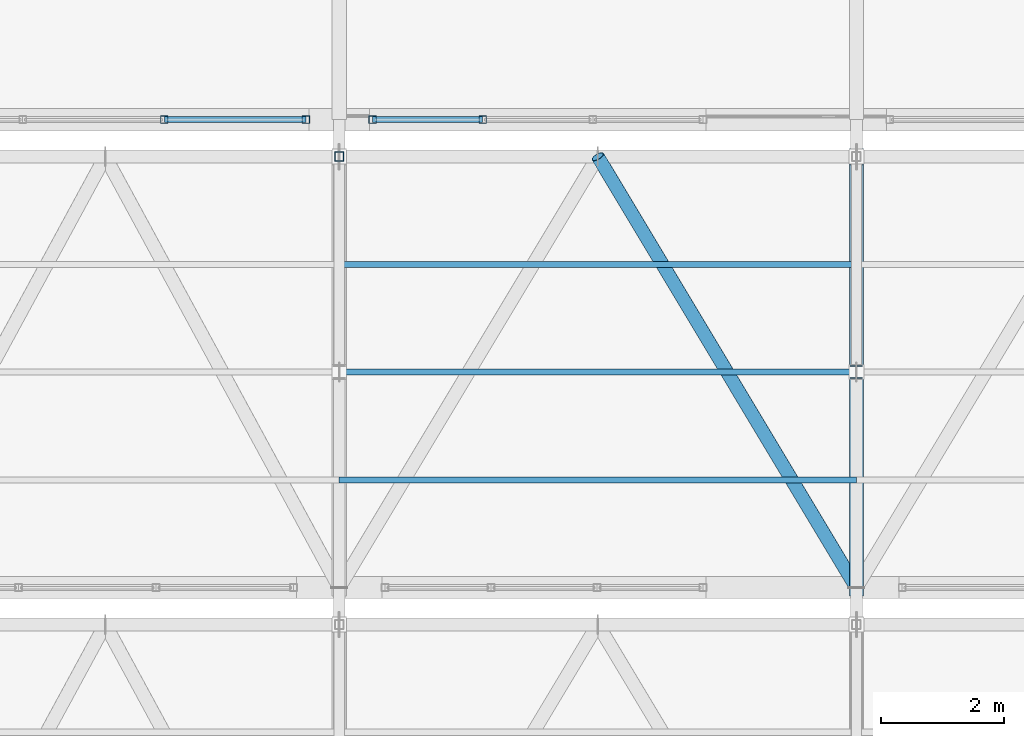
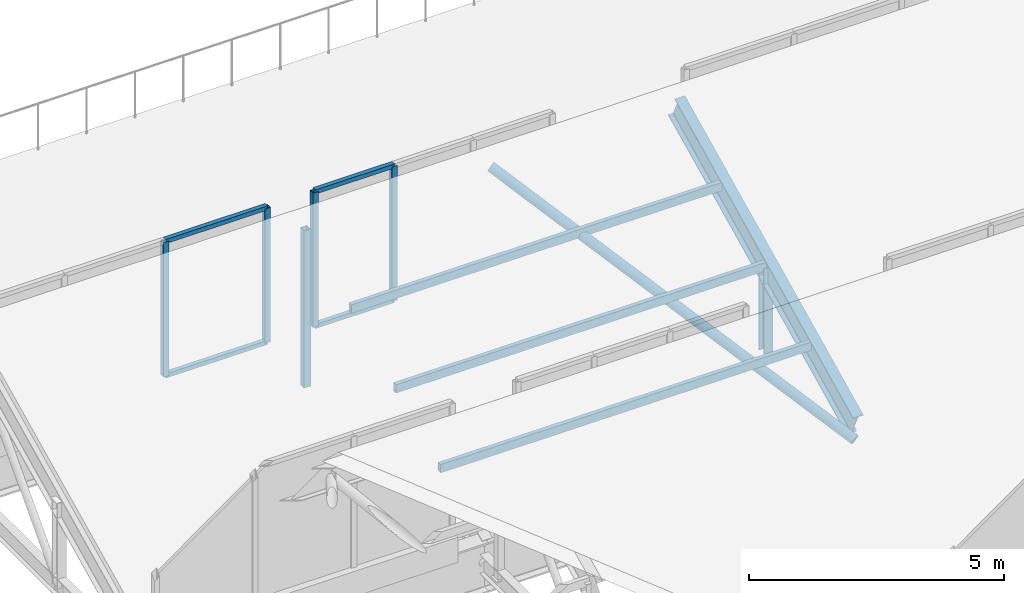
# One storey, part 19 of 57: 15 members, 2 elements without a shape of their own.
"""IFC4 building model written with IfcOpenShell, lengths in metres."""

from ifc_helpers import new_model, si_unit, direction, frame, origin, origin_2d, place, context, subcontext, project, spatial, hollow_rectangle, hollow_circle, i_section, extrude, material, material_profile, profile_set, type_object, element, aggregate, save


model = new_model("IFC4")

# Units and contexts
model_context = context("Model", 3, precision=1e-05, world=origin(), true_north=direction((0.0, 1.0)))
body_context = subcontext(model_context, "Body", "Model", "MODEL_VIEW")
ifc_project = project(units=[si_unit("LENGTHUNIT", "METRE"), si_unit("AREAUNIT", "SQUARE_METRE"), si_unit("VOLUMEUNIT", "CUBIC_METRE"), si_unit("PLANEANGLEUNIT", "RADIAN"), si_unit("MASSUNIT", "GRAM", prefix="KILO")], contexts=[model_context])

# Site, building, storey
site_placement = place(None, origin())
site = spatial("IfcSite", under=ifc_project, at=site_placement, CompositionType="ELEMENT")
building_placement = place(site_placement, origin())
building = spatial("IfcBuilding", under=site, at=building_placement, Name="Zuvorla Pavilion Media Centre", CompositionType="ELEMENT")
storey_placement = place(building_placement, frame((0.0, 0.0, 18.0)))
storey = spatial("IfcBuildingStorey", under=building, at=storey_placement, Name="L04", CompositionType="ELEMENT", Elevation=18.0)

# Curtain wall, members
ifc_material_1 = material(Name="Unitised anodised aluminium and solar glass curtain wall", Category="aluminium")
curtain_wall_type_1 = type_object("IfcCurtainWallType", Name="CW-SYS-92", PredefinedType="USERDEFINED", material=ifc_material_1)
curtain_wall_1_placement = place(storey_placement, origin())
curtain_wall_1 = element("IfcCurtainWall", 1, at=curtain_wall_1_placement, inside=storey, type_object=curtain_wall_type_1, Name="L04 curtain wall CW92 246", ObjectType="CURTAIN WALL", PredefinedType="USERDEFINED")
ifc_material_2 = material(Name="Anodised aluminium 6063-T6", Category="aluminium")
ifc_material_profile_1 = material_profile(ifc_material_2, hollow_rectangle(XDim=0.1201171875, YDim=0.1201171875, WallThickness=0.0048828125, at=origin_2d()), Name="ALU MULL 120x120")
ifc_profile_set_1 = profile_set([ifc_material_profile_1], Name="Anodised aluminium 6063-T6")
member_type_1 = type_object("IfcMemberType", Name="CW-MULL-120", PredefinedType="MULLION", material=ifc_profile_set_1)
member_1_placement = place(storey_placement, frame((122.75830078125, 44.0, 0.0), z_axis=(0.0, 0.0, 1.0), x_axis=(1.0, 0.0, 0.0)))
member_1 = element("IfcMember", 2, at=member_1_placement, type_object=member_type_1, Name="CW92 mullion 3", PredefinedType="MULLION", context=body_context, shape_type="SweptSolid", body=[
    extrude(hollow_rectangle(XDim=0.1201171875, YDim=0.1201171875, WallThickness=0.0048828125, at=origin_2d()), origin(), (0.0, 0.0, 1.0), 3.219970703125),
])
member_2_placement = place(storey_placement, frame((125.057373046875, 44.0, 0.0), z_axis=(0.0, 0.0, 1.0), x_axis=(1.0, 0.0, 0.0)))
member_2 = element("IfcMember", 3, at=member_2_placement, type_object=member_type_1, Name="CW92 mullion 4", PredefinedType="MULLION", context=body_context, shape_type="SweptSolid", body=[
    extrude(hollow_rectangle(XDim=0.1201171875, YDim=0.1201171875, WallThickness=0.0048828125, at=origin_2d()), origin(), (0.0, 0.0, 1.0), 3.219970703125),
])

curtain_wall_type_2 = type_object("IfcCurtainWallType", Name="CW-SYS-96", PredefinedType="USERDEFINED", material=ifc_material_1)
curtain_wall_2_placement = place(storey_placement, origin())
curtain_wall_2 = element("IfcCurtainWall", 4, at=curtain_wall_2_placement, inside=storey, type_object=curtain_wall_type_2, Name="L04 curtain wall CW96 247", ObjectType="CURTAIN WALL", PredefinedType="USERDEFINED")
member_3_placement = place(storey_placement, frame((126.142578125, 44.0, 0.0), z_axis=(0.0, 0.0, 1.0), x_axis=(1.0, 0.0, 0.0)))
member_3 = element("IfcMember", 5, at=member_3_placement, type_object=member_type_1, Name="CW96 mullion 1", PredefinedType="MULLION", context=body_context, shape_type="SweptSolid", body=[
    extrude(hollow_rectangle(XDim=0.1201171875, YDim=0.1201171875, WallThickness=0.0048828125, at=origin_2d()), origin(), (0.0, 0.0, 1.0), 3.219970703125),
])
member_4_placement = place(storey_placement, frame((127.9306640625, 44.0, 0.0), z_axis=(0.0, 0.0, 1.0), x_axis=(1.0, 0.0, 0.0)))
member_4 = element("IfcMember", 6, at=member_4_placement, type_object=member_type_1, Name="CW96 mullion 2", PredefinedType="MULLION", context=body_context, shape_type="SweptSolid", body=[
    extrude(hollow_rectangle(XDim=0.1201171875, YDim=0.1201171875, WallThickness=0.0048828125, at=origin_2d()), origin(), (0.0, 0.0, 1.0), 3.219970703125),
])

# Member
ifc_material_profile_2 = material_profile(ifc_material_2, hollow_rectangle(XDim=0.10009765625, YDim=0.10009765625, WallThickness=0.00439453125, at=origin_2d()), Name="ALU TRAN 100x100")
ifc_profile_set_2 = profile_set([ifc_material_profile_2], Name="Anodised aluminium 6063-T6")
member_type_2 = type_object("IfcMemberType", Name="CW-TRAN-100", PredefinedType="USERDEFINED", material=ifc_profile_set_2)
member_5_placement = place(storey_placement, frame((122.75830078125, 44.0, 0.0), z_axis=(1.0, 0.0, 0.0), x_axis=(0.0, 1.0, 0.0)))
member_5 = element("IfcMember", 7, at=member_5_placement, type_object=member_type_2, Name="CW92 transom 3.1", ObjectType="TRANSOM", PredefinedType="USERDEFINED", context=body_context, shape_type="SweptSolid", body=[
    extrude(hollow_rectangle(XDim=0.10009765625, YDim=0.10009765625, WallThickness=0.00439453125, at=origin_2d()), origin(), (0.0, 0.0, 1.0), 2.299072265625),
])

member_6_placement = place(storey_placement, frame((122.75830078125, 44.0, 3.219970703125), z_axis=(1.0, 0.0, 0.0), x_axis=(0.0, 1.0, 0.0)))
member_6 = element("IfcMember", 8, at=member_6_placement, type_object=member_type_2, Name="CW92 transom 3.2", ObjectType="TRANSOM", PredefinedType="USERDEFINED", context=body_context, shape_type="SweptSolid", body=[
    extrude(hollow_rectangle(XDim=0.10009765625, YDim=0.10009765625, WallThickness=0.00439453125, at=origin_2d()), origin(), (0.0, 0.0, 1.0), 2.299072265625),
])

aggregate(curtain_wall_1, [member_1, member_2, member_5, member_6])

member_7_placement = place(storey_placement, frame((126.142578125, 44.0, 0.0), z_axis=(1.0, 0.0, 0.0), x_axis=(0.0, 1.0, 0.0)))
member_7 = element("IfcMember", 9, at=member_7_placement, type_object=member_type_2, Name="CW96 transom 1.1", ObjectType="TRANSOM", PredefinedType="USERDEFINED", context=body_context, shape_type="SweptSolid", body=[
    extrude(hollow_rectangle(XDim=0.10009765625, YDim=0.10009765625, WallThickness=0.00439453125, at=origin_2d()), origin(), (0.0, 0.0, 1.0), 1.7880859375),
])

member_8_placement = place(storey_placement, frame((126.142578125, 44.0, 3.219970703125), z_axis=(1.0, 0.0, 0.0), x_axis=(0.0, 1.0, 0.0)))
member_8 = element("IfcMember", 10, at=member_8_placement, type_object=member_type_2, Name="CW96 transom 1.2", ObjectType="TRANSOM", PredefinedType="USERDEFINED", context=body_context, shape_type="SweptSolid", body=[
    extrude(hollow_rectangle(XDim=0.10009765625, YDim=0.10009765625, WallThickness=0.00439453125, at=origin_2d()), origin(), (0.0, 0.0, 1.0), 1.7880859375),
])

aggregate(curtain_wall_2, [member_3, member_4, member_7, member_8])

# Members
ifc_material_3 = material(Name="Steel S355", Category="steel")
ifc_material_profile_3 = material_profile(ifc_material_3, hollow_circle(Radius=0.109619140625, WallThickness=0.010009765625, at=origin_2d()), Name="CHS 219.1x10")
ifc_profile_set_3 = profile_set([ifc_material_profile_3], Name="Steel S355")
member_type_3 = type_object("IfcMemberType", Name="MEM-BRC-CHS219", PredefinedType="BRACE", material=ifc_profile_set_3)
member_9_placement = place(storey_placement, frame((129.800048828125, 43.39990234375, 2.882080078125), z_axis=(0.46726169892, -0.778778552081, -0.418533716135), x_axis=(0.857495564561, 0.514491357322, 0.0)))
element("IfcMember", 11, at=member_9_placement, inside=storey, type_object=member_type_3, Name="L04 diagonal brace TB02 776", PredefinedType="BRACE", context=body_context, shape_type="SweptSolid", body=[
    extrude(hollow_circle(Radius=0.109619140625, WallThickness=0.010009765625, at=origin_2d()), origin(), (0.0, 0.0, 1.0), 8.988525390625),
])
ifc_material_profile_4 = material_profile(ifc_material_3, i_section(OverallWidth=0.22900390625, OverallDepth=0.6123046875, WebThickness=0.011962890625, FlangeThickness=0.01953125, FilletRadius=0.0126953125, at=origin_2d()), Name="UB 610x229x125")
ifc_profile_set_4 = profile_set([ifc_material_profile_4], Name="Steel S355")
member_type_4 = type_object("IfcMemberType", Name="MEM-CHD-UB610", PredefinedType="CHORD", material=ifc_profile_set_4)
member_10_placement = place(storey_placement, frame((134.0, 36.39990234375, -0.517822265625), z_axis=(0.0, 0.899513090263, 0.436893809117), x_axis=(-1.0, 0.0, 0.0)))
element("IfcMember", 12, at=member_10_placement, inside=storey, type_object=member_type_4, Name="L04 chord TC01 749", PredefinedType="CHORD", context=body_context, shape_type="SweptSolid", body=[
    extrude(i_section(OverallWidth=0.22900390625, OverallDepth=0.6123046875, WebThickness=0.011962890625, FlangeThickness=0.01953125, FilletRadius=0.0126953125, at=origin_2d()), origin(), (0.0, 0.0, 1.0), 7.781982421875),
])
ifc_material_profile_5 = material_profile(ifc_material_3, hollow_rectangle(XDim=0.10009765625, YDim=0.199951171875, WallThickness=0.008056640625, at=origin_2d()), Name="RHS 200x100x8")
ifc_profile_set_5 = profile_set([ifc_material_profile_5], Name="Steel S355")
member_type_5 = type_object("IfcMemberType", Name="MEM-PUR-RHS200", PredefinedType="PURLIN", material=ifc_profile_set_5)
for number, where, z_axis, x_axis, name in (
    (13, (125.60009765625, 38.14990234375, 0.33203125), (1.0, 0.0, 0.0), (0.0, 1.0, 0.0), "L04 purlin PR01 777"),
    (14, (125.60009765625, 39.89990234375, 1.18212890625), (1.0, 0.0, 0.0), (0.0, 1.0, 0.0), "L04 purlin PR01 778"),
    (15, (125.60009765625, 41.64990234375, 2.031982421875), (1.0, 0.0, 0.0), (0.0, 1.0, 0.0), "L04 purlin PR01 779"),
):
    element("IfcMember", number, at=place(storey_placement, frame(where, z_axis=z_axis, x_axis=x_axis)), inside=storey, type_object=member_type_5, Name=name, PredefinedType="PURLIN", context=body_context, shape_type="SweptSolid", body=[
        extrude(hollow_rectangle(XDim=0.10009765625, YDim=0.199951171875, WallThickness=0.008056640625, at=origin_2d()), origin(), (0.0, 0.0, 1.0), 8.39990234375),
    ])
ifc_material_profile_6 = material_profile(ifc_material_3, hollow_rectangle(XDim=0.14990234375, YDim=0.14990234375, WallThickness=0.008056640625, at=origin_2d()), Name="SHS 150x150x8")
ifc_profile_set_6 = profile_set([ifc_material_profile_6], Name="Steel S355")
member_type_6 = type_object("IfcMemberType", Name="MEM-STR-SHS150", PredefinedType="STRUT", material=ifc_profile_set_6)
member_11_placement = place(storey_placement, frame((125.60009765625, 43.39990234375, -0.8798828125), z_axis=(0.0, 0.0, 1.0), x_axis=(1.0, 0.0, 0.0)))
element("IfcMember", 16, at=member_11_placement, inside=storey, type_object=member_type_6, Name="L04 vertical strut TS01 745", PredefinedType="STRUT", context=body_context, shape_type="SweptSolid", body=[
    extrude(hollow_rectangle(XDim=0.14990234375, YDim=0.14990234375, WallThickness=0.008056640625, at=origin_2d()), origin(), (0.0, 0.0, 1.0), 3.761962890625),
])
ifc_material_profile_7 = material_profile(ifc_material_3, i_section(OverallWidth=0.205810546875, OverallDepth=0.209716796875, WebThickness=0.009521484375, FlangeThickness=0.01416015625, FilletRadius=0.01025390625, at=origin_2d()), Name="UC 203x203x60")
ifc_profile_set_7 = profile_set([ifc_material_profile_7], Name="Steel S355")
member_type_7 = type_object("IfcMemberType", Name="MEM-STR-UC203", PredefinedType="STRUT", material=ifc_profile_set_7)
member_12_placement = place(storey_placement, frame((134.0, 39.89990234375, -0.8798828125), z_axis=(0.0, 0.0, 1.0), x_axis=(1.0, 0.0, 0.0)))
element("IfcMember", 17, at=member_12_placement, inside=storey, type_object=member_type_7, Name="L04 vertical strut TS02 752", PredefinedType="STRUT", context=body_context, shape_type="SweptSolid", body=[
    extrude(i_section(OverallWidth=0.205810546875, OverallDepth=0.209716796875, WebThickness=0.009521484375, FlangeThickness=0.01416015625, FilletRadius=0.01025390625, at=origin_2d()), origin(), (0.0, 0.0, 1.0), 2.06201171875),
])

save(model, "model.ifc")
